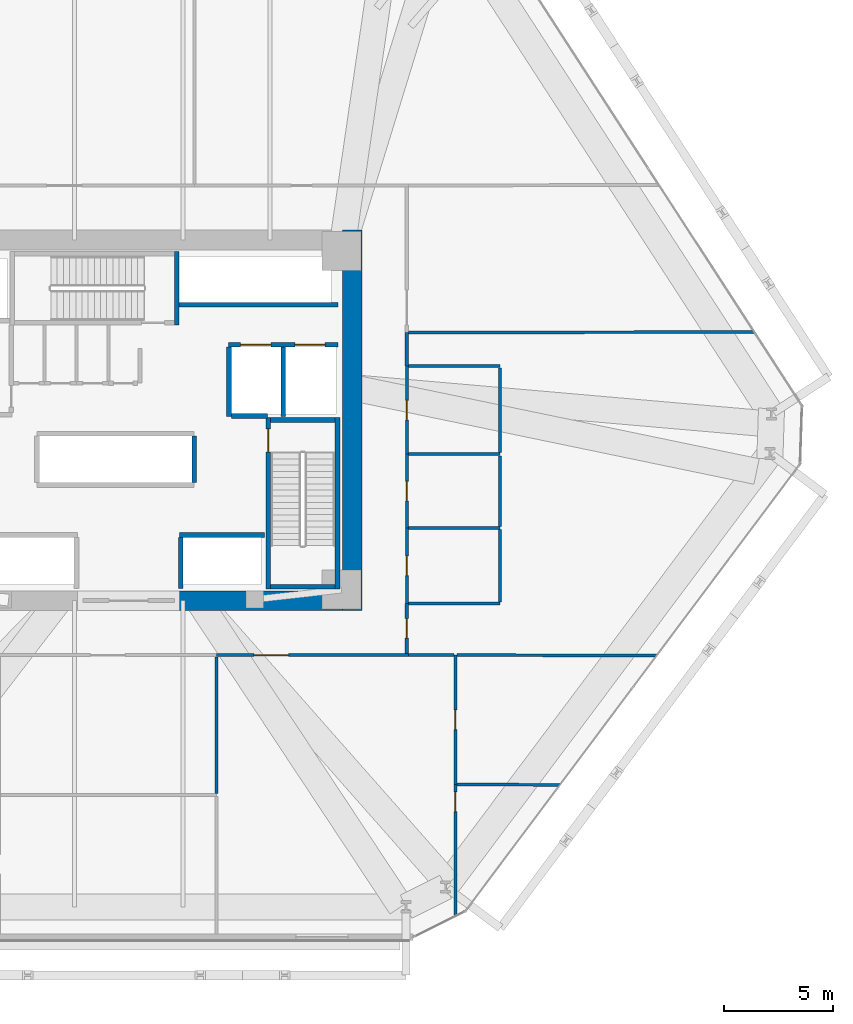
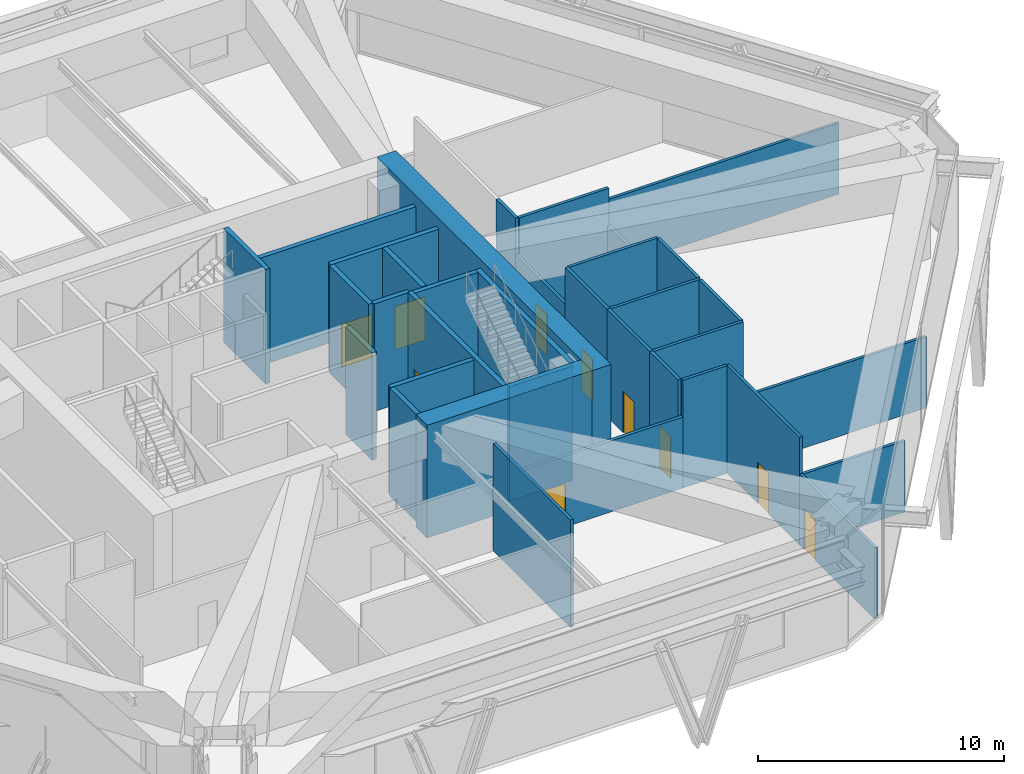
# One storey, part 15 of 19: 35 walls, 10 doors, 10 openings.
"""IFC4 building model written with IfcOpenShell, lengths in metres."""

from ifc_helpers import new_model, si_unit, direction, frame, frame_2d, origin, place, context, subcontext, project, spatial, rectangle, extrude, source, transform, mapped, material, layer, layer_set, type_object, type_shapes, element, fill, save


model = new_model("IFC4")

# Units and contexts
model_context = context("Model", 3, precision=1e-05, world=origin(), true_north=direction((0.0, 1.0)))
body_context = subcontext(model_context, "Body", "Model", "MODEL_VIEW")
ifc_project = project(units=[si_unit("LENGTHUNIT", "METRE"), si_unit("AREAUNIT", "SQUARE_METRE"), si_unit("VOLUMEUNIT", "CUBIC_METRE"), si_unit("PLANEANGLEUNIT", "RADIAN"), si_unit("MASSUNIT", "GRAM", prefix="KILO")], contexts=[model_context])

# Site, building, storey
site_placement = place(None, origin())
site = spatial("IfcSite", under=ifc_project, at=site_placement, CompositionType="ELEMENT")
building_placement = place(site_placement, origin())
building = spatial("IfcBuilding", under=site, at=building_placement, Name="Durnholm Broadcast Tower", CompositionType="ELEMENT")
storey_placement = place(building_placement, frame((0.0, 0.0, 26.800048828125)))
storey = spatial("IfcBuildingStorey", under=building, at=storey_placement, Name="L05", CompositionType="ELEMENT", Elevation=26.800048828125)

# Walls
ifc_material_1 = material(Name="Concrete C70/85", Category="concrete")
ifc_layer_1 = layer(ifc_material_1, 0.89990234375)
ifc_layer_set_1 = layer_set([ifc_layer_1], Name="Concrete C70/85")
wall_type_1 = type_object("IfcWallType", Name="WALL-CW-900", PredefinedType="SHEAR", material=ifc_layer_set_1)
wall_1_placement = place(storey_placement, frame((10.300048828125, -8.75, 0.0), z_axis=(0.0, 0.0, 1.0), x_axis=(0.0, 1.0, 0.0)))
element("IfcWall", 1, at=wall_1_placement, inside=storey, type_object=wall_type_1, Name="L05 central core shear wall CW-EAST", PredefinedType="SHEAR", context=body_context, shape_type="SweptSolid", body=[
    extrude(rectangle(XDim=17.5, YDim=0.89990234375, at=frame_2d((8.75, 0.0))), origin(), (0.0, 0.0, 1.0), 5.599853515625),
])
wall_2_placement = place(storey_placement, frame((2.10009765625, -8.300048828125, 0.0), z_axis=(0.0, 0.0, 1.0), x_axis=(1.0, 0.0, 0.0)))
element("IfcWall", 2, at=wall_2_placement, inside=storey, type_object=wall_type_1, Name="L05 central core shear wall CW-S2", PredefinedType="SHEAR", context=body_context, shape_type="SweptSolid", body=[
    extrude(rectangle(XDim=7.75, YDim=0.89990234375, at=frame_2d((3.875, 0.0))), origin(), (0.0, 0.0, 1.0), 5.599853515625),
])
ifc_material_2 = material(Name="Gypsum Metal Stud Partition", Category="concrete")
ifc_layer_2 = layer(ifc_material_2, 0.135009765625)
ifc_layer_set_2 = layer_set([ifc_layer_2], Name="Gypsum Metal Stud Partition")
wall_type_2 = type_object("IfcWallType", Name="WALL-PART-135", PredefinedType="PARTITIONING", material=ifc_layer_set_2)
wall_3_placement = place(storey_placement, frame((4.0400390625, -10.888916015625, 0.0), z_axis=(0.0, 0.0, 1.0), x_axis=(0.0, -1.0, 0.0)))
element("IfcWall", 3, at=wall_3_placement, inside=storey, type_object=wall_type_2, Name="L05 room dividing partition 15.16", PredefinedType="PARTITIONING", context=body_context, shape_type="SweptSolid", body=[
    extrude(rectangle(XDim=6.28466796875, YDim=0.135009765625, at=frame_2d((3.142333984375, 0.0))), origin(), (0.0, 0.0, 1.0), 5.344970703125),
])

# Wall, opening, door
wall_4_placement = place(storey_placement, frame((15.0400390625, -16.764892578125, 0.0), z_axis=(0.0, 0.0, 1.0), x_axis=(0.00294270504, -0.999995670234, 0.0)))
wall_4 = element("IfcWall", 4, at=wall_4_placement, inside=storey, type_object=wall_type_2, Name="L05 room dividing partition 16.17", PredefinedType="PARTITIONING", context=body_context, shape_type="SweptSolid", body=[
    extrude(rectangle(XDim=6.056396484375, YDim=0.135009765625, at=frame_2d((3.0283203125, 0.0))), origin(), (0.0, 0.0, 1.0), 3.530029296875),
])
opening_1_placement = place(wall_4_placement, frame((0.35009765625, 0.0, 0.0)))
opening_1 = element("IfcOpeningElement", 5, at=opening_1_placement, cuts=wall_4, Name="Opening DW-90L", PredefinedType="OPENING", context=body_context, shape_type="SweptSolid", body=[
    extrude(rectangle(XDim=0.89990234375, YDim=2.050048828125, at=frame_2d((0.449951171875, 1.02490234375))), frame((0.0, 0.07763671875, 0.0), z_axis=(0.0, -1.0, 0.0), x_axis=(1.0, 0.0, 0.0)), (0.0, 0.0, 1.0), 0.155029296875),
])
ifc_material_3 = material(Name="Laminate Restroom Door", Category="steel")
ifc_layer_3 = layer(ifc_material_3, 0.050048828125)
ifc_layer_set_3 = layer_set([ifc_layer_3], Name="Laminate Restroom Door")
door_type_1 = type_object("IfcDoorType", Name="DOOR-WC-900L", OperationType="NOTDEFINED", PredefinedType="DOOR", material=ifc_layer_set_3)
shared_shape_1 = source(origin(), body_context, "Body", "SweptSolid", [
    extrude(rectangle(XDim=0.89990234375, YDim=2.050048828125, at=frame_2d((0.449951171875, 1.02490234375))), frame((0.0, 0.02490234375, 0.0), z_axis=(0.0, -1.0, 0.0), x_axis=(1.0, 0.0, 0.0)), (0.0, 0.0, 1.0), 0.050048828125),
])
type_shapes(door_type_1, [shared_shape_1])
door_1_placement = place(opening_1_placement, origin())
door_1 = element("IfcDoor", 6, at=door_1_placement, inside=storey, type_object=door_type_1, Name="L05 Foley Recording Office connecting door", OperationType="SINGLE_SWING_LEFT", OverallHeight=2.050048828125, OverallWidth=0.89990234375, PredefinedType="DOOR", context=body_context, shape_type="MappedRepresentation", body=[
    mapped(shared_shape_1, transform((0.0, 0.0, 0.0), x_axis=(1.0, 0.0, 0.0), y_axis=(0.0, 1.0, 0.0), z_axis=(0.0, 0.0, 1.0), scale=1.0)),
])
fill(opening_1, door_1)

wall_5_placement = place(storey_placement, frame((15.0400390625, -10.81005859375, 0.0), z_axis=(0.0, 0.0, 1.0), x_axis=(0.0, -1.0, 0.0)))
wall_5 = element("IfcWall", 7, at=wall_5_placement, inside=storey, type_object=wall_type_2, Name="L05 room dividing partition 16.18", PredefinedType="PARTITIONING", context=body_context, shape_type="SweptSolid", body=[
    extrude(rectangle(XDim=5.954833984375, YDim=0.135009765625, at=frame_2d((2.9775390625, 0.0))), origin(), (0.0, 0.0, 1.0), 5.344970703125),
])
opening_2_placement = place(wall_5_placement, frame((2.527587890625, 0.0, 0.0)))
opening_2 = element("IfcOpeningElement", 8, at=opening_2_placement, cuts=wall_5, Name="Opening DW-90L", PredefinedType="OPENING", context=body_context, shape_type="SweptSolid", body=[
    extrude(rectangle(XDim=0.89990234375, YDim=2.050048828125, at=frame_2d((0.449951171875, 1.02490234375))), frame((0.0, 0.07763671875, 0.0), z_axis=(0.0, -1.0, 0.0), x_axis=(1.0, 0.0, 0.0)), (0.0, 0.0, 1.0), 0.155029296875),
])
door_2_placement = place(opening_2_placement, origin())
door_2 = element("IfcDoor", 9, at=door_2_placement, inside=storey, type_object=door_type_1, Name="L05 Hospitality Dining Room connecting door", OperationType="SINGLE_SWING_LEFT", OverallHeight=2.050048828125, OverallWidth=0.89990234375, PredefinedType="DOOR", context=body_context, shape_type="MappedRepresentation", body=[
    mapped(shared_shape_1, transform((0.0, 0.0, 0.0), x_axis=(1.0, 0.0, 0.0), y_axis=(0.0, 1.0, 0.0), z_axis=(0.0, 0.0, 1.0), scale=1.0)),
])
fill(opening_2, door_2)

# Walls
wall_6_placement = place(storey_placement, frame((12.889892578125, -10.81005859375, 0.0), z_axis=(0.0, 0.0, 1.0), x_axis=(1.0, 0.0, 0.0)))
element("IfcWall", 10, at=wall_6_placement, inside=storey, type_object=wall_type_2, Name="L05 room dividing partition 16.21", PredefinedType="PARTITIONING", context=body_context, shape_type="SweptSolid", body=[
    extrude(rectangle(XDim=2.07861328125, YDim=0.135009765625, at=frame_2d((1.039306640625, 0.0))), origin(), (0.0, 0.0, 1.0), 5.344970703125),
])
wall_7_placement = place(storey_placement, frame((15.111572265625, -16.765625, 0.0), z_axis=(0.0, 0.0, 1.0), x_axis=(0.999987815736, -0.004936433913, 0.0)))
element("IfcWall", 11, at=wall_7_placement, inside=storey, type_object=wall_type_2, Name="L05 room dividing partition 17.18", PredefinedType="PARTITIONING", context=body_context, shape_type="SweptSolid", body=[
    extrude(rectangle(XDim=4.747802734375, YDim=0.135009765625, at=frame_2d((2.3740234375, 0.0))), origin(), (0.0, 0.0, 1.0), 3.530029296875),
])
wall_8_placement = place(storey_placement, frame((15.111572265625, -10.810302734375, 0.0), z_axis=(0.0, 0.0, 1.0), x_axis=(0.999996689995, -0.002572935781, 0.0)))
element("IfcWall", 12, at=wall_8_placement, inside=storey, type_object=wall_type_2, Name="L05 room dividing partition 18.21", PredefinedType="PARTITIONING", context=body_context, shape_type="SweptSolid", body=[
    extrude(rectangle(XDim=9.2041015625, YDim=0.135009765625, at=frame_2d((4.60205078125, 0.0))), origin(), (0.0, 0.0, 1.0), 3.530029296875),
])
wall_9_placement = place(storey_placement, frame((12.888916015625, 4.0400390625, 0.0), z_axis=(0.0, 0.0, 1.0), x_axis=(0.999999068975, 0.001364568967, 0.0)))
element("IfcWall", 13, at=wall_9_placement, inside=storey, type_object=wall_type_2, Name="L05 room dividing partition 21.22", PredefinedType="PARTITIONING", context=body_context, shape_type="SweptSolid", body=[
    extrude(rectangle(XDim=15.92333984375, YDim=0.135009765625, at=frame_2d((7.961669921875, 0.0))), origin(), (0.0, 0.0, 1.0), 3.530029296875),
])

# Wall, opening, door
ifc_material_4 = material(Name="Acoustic Gypsum Stud Partition", Category="concrete")
ifc_layer_4 = layer(ifc_material_4, 0.14990234375)
ifc_layer_set_4 = layer_set([ifc_layer_4], Name="Acoustic Gypsum Stud Partition")
wall_type_3 = type_object("IfcWallType", Name="WALL-PART-150", PredefinedType="PARTITIONING", material=ifc_layer_set_4)
wall_10_placement = place(storey_placement, frame((4.0400390625, -10.81005859375, 0.0), z_axis=(0.0, 0.0, 1.0), x_axis=(1.0, 0.0, 0.0)))
wall_10 = element("IfcWall", 14, at=wall_10_placement, inside=storey, type_object=wall_type_3, Name="L05 Orchestra Recording Hall 5A corridor partition", PredefinedType="PARTITIONING", context=body_context, shape_type="SweptSolid", body=[
    extrude(rectangle(XDim=8.849853515625, YDim=0.14990234375, at=frame_2d((4.4248046875, 0.0))), origin(), (0.0, 0.0, 1.0), 3.530029296875),
])
opening_3_placement = place(wall_10_placement, frame((1.72998046875, 0.0, 0.0)))
opening_3 = element("IfcOpeningElement", 15, at=opening_3_placement, cuts=wall_10, Name="Opening DST-160", PredefinedType="OPENING", context=body_context, shape_type="SweptSolid", body=[
    extrude(rectangle(XDim=1.60009765625, YDim=2.14990234375, at=frame_2d((0.800048828125, 1.074951171875))), frame((0.0, 0.0849609375, 0.0), z_axis=(0.0, -1.0, 0.0), x_axis=(1.0, 0.0, 0.0)), (0.0, 0.0, 1.0), 0.169921875),
])
ifc_material_5 = material(Name="Acoustic Broadcast Studio Sound-Lock Door", Category="steel")
ifc_layer_5 = layer(ifc_material_5, 0.050048828125)
ifc_layer_set_5 = layer_set([ifc_layer_5], Name="Acoustic Broadcast Studio Sound-Lock Door")
door_type_2 = type_object("IfcDoorType", Name="DOOR-STU-1600", OperationType="DOUBLE_DOOR_SINGLE_SWING", PredefinedType="DOOR", material=ifc_layer_set_5)
shared_shape_2 = source(origin(), body_context, "Body", "SweptSolid", [
    extrude(rectangle(XDim=1.60009765625, YDim=2.14990234375, at=frame_2d((0.800048828125, 1.074951171875))), frame((0.0, 0.02490234375, 0.0), z_axis=(0.0, -1.0, 0.0), x_axis=(1.0, 0.0, 0.0)), (0.0, 0.0, 1.0), 0.050048828125),
])
type_shapes(door_type_2, [shared_shape_2])
door_3_placement = place(opening_3_placement, origin())
door_3 = element("IfcDoor", 16, at=door_3_placement, inside=storey, type_object=door_type_2, Name="L05 Orchestra Recording Hall 5A entrance door", OperationType="DOUBLE_DOOR_SINGLE_SWING", OverallHeight=2.14990234375, OverallWidth=1.60009765625, PredefinedType="DOOR", context=body_context, shape_type="MappedRepresentation", body=[
    mapped(shared_shape_2, transform((0.0, 0.0, 0.0), x_axis=(1.0, 0.0, 0.0), y_axis=(0.0, 1.0, 0.0), z_axis=(0.0, 0.0, 1.0), scale=1.0)),
])
fill(opening_3, door_3)

wall_11_placement = place(storey_placement, frame((12.81005859375, -10.73095703125, 0.0), z_axis=(0.0, 0.0, 1.0), x_axis=(0.0, 1.0, 0.0)))
wall_11 = element("IfcWall", 17, at=wall_11_placement, inside=storey, type_object=wall_type_3, Name="L05 Acoustic Archive Store corridor partition", PredefinedType="PARTITIONING", context=body_context, shape_type="SweptSolid", body=[
    extrude(rectangle(XDim=2.291015625, YDim=0.14990234375, at=frame_2d((1.1455078125, 0.0))), origin(), (0.0, 0.0, 1.0), 5.344970703125),
])
opening_4_placement = place(wall_11_placement, frame((0.695556640625, 0.0, 0.0)))
opening_4 = element("IfcOpeningElement", 18, at=opening_4_placement, cuts=wall_11, Name="Opening DC-60R", PredefinedType="OPENING", context=body_context, shape_type="SweptSolid", body=[
    extrude(rectangle(XDim=0.89990234375, YDim=2.050048828125, at=frame_2d((0.449951171875, 1.02490234375))), frame((0.0, 0.0849609375, 0.0), z_axis=(0.0, -1.0, 0.0), x_axis=(1.0, 0.0, 0.0)), (0.0, 0.0, 1.0), 0.169921875),
])
ifc_material_6 = material(Name="Fire-Rated Core Service Door", Category="steel")
ifc_layer_6 = layer(ifc_material_6, 0.050048828125)
ifc_layer_set_6 = layer_set([ifc_layer_6], Name="Fire-Rated Core Service Door")
door_type_3 = type_object("IfcDoorType", Name="DOOR-CORE-FD60-R", OperationType="NOTDEFINED", PredefinedType="DOOR", material=ifc_layer_set_6)
shared_shape_3 = source(origin(), body_context, "Body", "SweptSolid", [
    extrude(rectangle(XDim=0.89990234375, YDim=2.050048828125, at=frame_2d((0.449951171875, 1.02490234375))), frame((0.0, 0.02490234375, 0.0), z_axis=(0.0, -1.0, 0.0), x_axis=(1.0, 0.0, 0.0)), (0.0, 0.0, 1.0), 0.050048828125),
])
type_shapes(door_type_3, [shared_shape_3])
door_4_placement = place(opening_4_placement, origin())
door_4 = element("IfcDoor", 19, at=door_4_placement, inside=storey, type_object=door_type_3, Name="L05 Acoustic Archive Store entrance door", OperationType="SINGLE_SWING_RIGHT", OverallHeight=2.050048828125, OverallWidth=0.89990234375, PredefinedType="DOOR", context=body_context, shape_type="MappedRepresentation", body=[
    mapped(shared_shape_3, transform((0.0, 0.0, 0.0), x_axis=(1.0, 0.0, 0.0), y_axis=(0.0, 1.0, 0.0), z_axis=(0.0, 0.0, 1.0), scale=1.0)),
])
fill(opening_4, door_4)

# Wall
wall_12_placement = place(storey_placement, frame((12.81005859375, 2.489990234375, 0.0), z_axis=(0.0, 0.0, 1.0), x_axis=(0.0, 1.0, 0.0)))
element("IfcWall", 20, at=wall_12_placement, inside=storey, type_object=wall_type_3, Name="L05 Acoustic Archive Store corridor partition", PredefinedType="PARTITIONING", context=body_context, shape_type="SweptSolid", body=[
    extrude(rectangle(XDim=1.550048828125, YDim=0.14990234375, at=frame_2d((0.77490234375, 0.0))), origin(), (0.0, 0.0, 1.0), 5.344970703125),
])

# Wall, openings, doors
ifc_material_7 = material(Name="Concrete Blockwork C30/37", Category="masonry")
ifc_layer_7 = layer(ifc_material_7, 0.219970703125)
ifc_layer_set_7 = layer_set([ifc_layer_7], Name="Concrete Blockwork C30/37")
wall_type_4 = type_object("IfcWallType", Name="WALL-SHAFT-220", PredefinedType="SOLIDWALL", material=ifc_layer_set_7)
wall_13_placement = place(storey_placement, frame((4.60009765625, 3.47998046875, 0.0), z_axis=(0.0, 0.0, 1.0), x_axis=(1.0, 0.0, 0.0)))
wall_13 = element("IfcWall", 21, at=wall_13_placement, inside=storey, type_object=wall_type_4, Name="L05 freight service lifts north front wall", PredefinedType="SOLIDWALL", context=body_context, shape_type="SweptSolid", body=[
    extrude(rectangle(XDim=5.0498046875, YDim=0.219970703125, at=frame_2d((2.52490234375, 0.0))), origin(), (0.0, 0.0, 1.0), 5.344970703125),
])
opening_5_placement = place(wall_13_placement, frame((0.550048828125, 0.0, 0.0)))
opening_5 = element("IfcOpeningElement", 22, at=opening_5_placement, cuts=wall_13, Name="Opening LD-SVL-2", PredefinedType="OPENING", context=body_context, shape_type="SweptSolid", body=[
    extrude(rectangle(XDim=1.39990234375, YDim=2.14990234375, at=frame_2d((0.699951171875, 1.074951171875))), frame((0.0, 0.1201171875, 0.0), z_axis=(0.0, -1.0, 0.0), x_axis=(1.0, 0.0, 0.0)), (0.0, 0.0, 1.0), 0.239990234375),
])
opening_6_placement = place(wall_13_placement, frame((3.050048828125, 0.0, 0.0)))
opening_6 = element("IfcOpeningElement", 23, at=opening_6_placement, cuts=wall_13, Name="Opening LD-SVL-1", PredefinedType="OPENING", context=body_context, shape_type="SweptSolid", body=[
    extrude(rectangle(XDim=1.39990234375, YDim=2.14990234375, at=frame_2d((0.699951171875, 1.074951171875))), frame((0.0, 0.1201171875, 0.0), z_axis=(0.0, -1.0, 0.0), x_axis=(1.0, 0.0, 0.0)), (0.0, 0.0, 1.0), 0.239990234375),
])
ifc_material_8 = material(Name="Freight Elevator Bi-Parting Sliding Landing Door", Category="steel")
ifc_layer_8 = layer(ifc_material_8, 0.050048828125)
ifc_layer_set_8 = layer_set([ifc_layer_8], Name="Freight Elevator Bi-Parting Sliding Landing Door")
door_type_4 = type_object("IfcDoorType", Name="DOOR-LIFT-SVL", OperationType="DOUBLE_DOOR_SLIDING", PredefinedType="DOOR", material=ifc_layer_set_8)
shared_shape_4 = source(origin(), body_context, "Body", "SweptSolid", [
    extrude(rectangle(XDim=1.39990234375, YDim=2.14990234375, at=frame_2d((0.699951171875, 1.074951171875))), frame((0.0, 0.02490234375, 0.0), z_axis=(0.0, -1.0, 0.0), x_axis=(1.0, 0.0, 0.0)), (0.0, 0.0, 1.0), 0.050048828125),
])
type_shapes(door_type_4, [shared_shape_4])
door_5_placement = place(opening_5_placement, origin())
door_5 = element("IfcDoor", 24, at=door_5_placement, inside=storey, type_object=door_type_4, Name="L05 freight service elevator SVL-2 sliding landing door", OperationType="DOUBLE_DOOR_SLIDING", OverallHeight=2.14990234375, OverallWidth=1.39990234375, PredefinedType="DOOR", context=body_context, shape_type="MappedRepresentation", body=[
    mapped(shared_shape_4, transform((0.0, 0.0, 0.0), x_axis=(1.0, 0.0, 0.0), y_axis=(0.0, 1.0, 0.0), z_axis=(0.0, 0.0, 1.0), scale=1.0)),
])
fill(opening_5, door_5)
door_6_placement = place(opening_6_placement, origin())
door_6 = element("IfcDoor", 25, at=door_6_placement, inside=storey, type_object=door_type_4, Name="L05 freight service elevator SVL-1 sliding landing door", OperationType="DOUBLE_DOOR_SLIDING", OverallHeight=2.14990234375, OverallWidth=1.39990234375, PredefinedType="DOOR", context=body_context, shape_type="MappedRepresentation", body=[
    mapped(shared_shape_4, transform((0.0, 0.0, 0.0), x_axis=(1.0, 0.0, 0.0), y_axis=(0.0, 1.0, 0.0), z_axis=(0.0, 0.0, 1.0), scale=1.0)),
])
fill(opening_6, door_6)

# Walls
for number, where, z_axis, x_axis, name in (
    (26, (4.6201171875, 0.179931640625, 0.0), (0.0, 0.0, 1.0), (0.0, 1.0, 0.0), "L05 freight service lift SVL-2 west wall"),
    (27, (7.1201171875, 0.179931640625, 0.0), (0.0, 0.0, 1.0), (0.0, 1.0, 0.0), "L05 freight service lifts divider wall"),
):
    element("IfcWall", number, at=place(storey_placement, frame(where, z_axis=z_axis, x_axis=x_axis)), inside=storey, type_object=wall_type_4, Name=name, PredefinedType="SOLIDWALL", context=body_context, shape_type="SweptSolid", body=[
        extrude(rectangle(XDim=3.18603515625, YDim=0.219970703125, at=frame_2d((1.593017578125, 0.0))), origin(), (0.0, 0.0, 1.0), 5.344970703125),
    ])
wall_14_placement = place(storey_placement, frame((4.73388671875, 0.199951171875, 0.0), z_axis=(0.0, 0.0, 1.0), x_axis=(1.0, 0.0, 0.0)))
element("IfcWall", 28, at=wall_14_placement, inside=storey, type_object=wall_type_4, Name="L05 freight service lift SVL-2 south wall", PredefinedType="SOLIDWALL", context=body_context, shape_type="SweptSolid", body=[
    extrude(rectangle(XDim=1.666015625, YDim=0.219970703125, at=frame_2d((0.8330078125, 0.0))), origin(), (0.0, 0.0, 1.0), 5.344970703125),
])
wall_15_placement = place(storey_placement, frame((2.35009765625, -5.280029296875, 0.0), z_axis=(0.0, 0.0, 1.0), x_axis=(1.0, 0.0, 0.0)))
element("IfcWall", 29, at=wall_15_placement, inside=storey, type_object=wall_type_4, Name="L05 low-rise bank P1 east front wall", PredefinedType="SOLIDWALL", context=body_context, shape_type="SweptSolid", body=[
    extrude(rectangle(XDim=3.89990234375, YDim=0.219970703125, at=frame_2d((1.949951171875, 0.0))), origin(), (0.0, 0.0, 1.0), 5.344970703125),
])
wall_16_placement = place(storey_placement, frame((2.39990234375, -7.75, 0.0), z_axis=(0.0, 0.0, 1.0), x_axis=(0.0, 1.0, 0.0)))
element("IfcWall", 30, at=wall_16_placement, inside=storey, type_object=wall_type_4, Name="L05 low-rise bank P1 east mouth wall", PredefinedType="SOLIDWALL", context=body_context, shape_type="SweptSolid", body=[
    extrude(rectangle(XDim=2.35595703125, YDim=0.219970703125, at=frame_2d((1.177978515625, 0.0))), origin(), (0.0, 0.0, 1.0), 5.344970703125),
])
wall_17_placement = place(storey_placement, frame((3.02001953125, -2.865966796875, 0.0), z_axis=(0.0, 0.0, 1.0), x_axis=(0.0, 1.0, 0.0)))
element("IfcWall", 31, at=wall_17_placement, inside=storey, type_object=wall_type_4, Name="L05 mid-rise bank P2 east shaft wall", PredefinedType="SOLIDWALL", context=body_context, shape_type="SweptSolid", body=[
    extrude(rectangle(XDim=2.132080078125, YDim=0.219970703125, at=frame_2d((1.06591796875, 0.0))), origin(), (0.0, 0.0, 1.0), 5.344970703125),
])
wall_18_placement = place(storey_placement, frame((2.324951171875, 5.320068359375, 0.0), z_axis=(0.0, 0.0, 1.0), x_axis=(1.0, 0.0, 0.0)))
element("IfcWall", 32, at=wall_18_placement, inside=storey, type_object=wall_type_4, Name="L05 high-rise bank P3 south front wall", PredefinedType="SOLIDWALL", context=body_context, shape_type="SweptSolid", body=[
    extrude(rectangle(XDim=7.324951171875, YDim=0.219970703125, at=frame_2d((3.66259765625, 0.0))), origin(), (0.0, 0.0, 1.0), 5.344970703125),
])
ifc_material_9 = material(Name="Concrete C50/60", Category="concrete")
ifc_layer_9 = layer(ifc_material_9, 0.219970703125)
ifc_layer_set_9 = layer_set([ifc_layer_9], Name="Concrete C50/60")
wall_type_5 = type_object("IfcWallType", Name="WALL-SW-220", PredefinedType="SHEAR", material=ifc_layer_set_9)
wall_19_placement = place(storey_placement, frame((9.610107421875, -7.77001953125, -0.320068359375), z_axis=(0.0, 0.0, 1.0), x_axis=(0.0, 1.0, 0.0)))
element("IfcWall", 33, at=wall_19_placement, inside=storey, type_object=wall_type_5, Name="L05 stair ST-2 structural shaft wall E", PredefinedType="SHEAR", context=body_context, shape_type="SweptSolid", body=[
    extrude(rectangle(XDim=7.89013671875, YDim=0.219970703125, at=frame_2d((3.945068359375, 0.0))), origin(), (0.0, 0.0, 1.0), 5.679931640625),
])

# Wall, opening, door
wall_20_placement = place(storey_placement, frame((6.429931640625, 0.1201171875, -0.320068359375), z_axis=(0.0, 0.0, 1.0), x_axis=(0.0, -1.0, 0.0)))
wall_20 = element("IfcWall", 34, at=wall_20_placement, inside=storey, type_object=wall_type_5, Name="L05 stair ST-2 structural shaft wall W", PredefinedType="SHEAR", context=body_context, shape_type="SweptSolid", body=[
    extrude(rectangle(XDim=7.89013671875, YDim=0.219970703125, at=frame_2d((3.945068359375, 0.0))), origin(), (0.0, 0.0, 1.0), 5.679931640625),
])
opening_7_placement = place(wall_20_placement, frame((0.52001953125, 0.0, 0.0)))
opening_7 = element("IfcOpeningElement", 35, at=opening_7_placement, cuts=wall_20, Name="Opening DS-90R", PredefinedType="OPENING", context=body_context, shape_type="SweptSolid", body=[
    extrude(rectangle(XDim=1.050048828125, YDim=2.14990234375, at=frame_2d((0.52490234375, 1.074951171875))), frame((0.0, 0.1201171875, 0.0), z_axis=(0.0, -1.0, 0.0), x_axis=(1.0, 0.0, 0.0)), (0.0, 0.0, 1.0), 0.239990234375),
])
ifc_material_10 = material(Name="Fire-Rated Steel Door", Category="steel")
ifc_layer_10 = layer(ifc_material_10, 0.050048828125)
ifc_layer_set_10 = layer_set([ifc_layer_10], Name="Fire-Rated Steel Door")
door_type_5 = type_object("IfcDoorType", Name="DOOR-ST-FD90-R", OperationType="NOTDEFINED", PredefinedType="DOOR", material=ifc_layer_set_10)
shared_shape_5 = source(origin(), body_context, "Body", "SweptSolid", [
    extrude(rectangle(XDim=1.050048828125, YDim=2.14990234375, at=frame_2d((0.52490234375, 1.074951171875))), frame((0.0, 0.02490234375, 0.0), z_axis=(0.0, -1.0, 0.0), x_axis=(1.0, 0.0, 0.0)), (0.0, 0.0, 1.0), 0.050048828125),
])
type_shapes(door_type_5, [shared_shape_5])
door_7_placement = place(opening_7_placement, origin())
door_7 = element("IfcDoor", 36, at=door_7_placement, inside=storey, type_object=door_type_5, Name="L05 exit stair ST-2 fire door", OperationType="SINGLE_SWING_RIGHT", OverallHeight=2.14990234375, OverallWidth=1.050048828125, PredefinedType="DOOR", context=body_context, shape_type="MappedRepresentation", body=[
    mapped(shared_shape_5, transform((0.0, 0.0, 0.0), x_axis=(1.0, 0.0, 0.0), y_axis=(0.0, 1.0, 0.0), z_axis=(0.0, 0.0, 1.0), scale=1.0)),
])
fill(opening_7, door_7)

# Walls
for number, where, z_axis, x_axis, name in (
    (37, (6.5400390625, -7.659912109375, -0.320068359375), (0.0, 0.0, 1.0), (1.0, 0.0, 0.0), "L05 stair ST-2 structural shaft wall S"),
    (38, (9.5, 0.010009765625, -0.320068359375), (0.0, 0.0, 1.0), (-1.0, 0.0, 0.0), "L05 stair ST-2 structural shaft wall N"),
):
    element("IfcWall", number, at=place(storey_placement, frame(where, z_axis=z_axis, x_axis=x_axis)), inside=storey, type_object=wall_type_5, Name=name, PredefinedType="SHEAR", context=body_context, shape_type="SweptSolid", body=[
        extrude(rectangle(XDim=2.9599609375, YDim=0.219970703125, at=frame_2d((1.47998046875, 0.0))), origin(), (0.0, 0.0, 1.0), 5.679931640625),
    ])
wall_21_placement = place(storey_placement, frame((2.2099609375, 4.3798828125, -0.320068359375), z_axis=(0.0, 0.0, 1.0), x_axis=(0.0, 1.0, 0.0)))
element("IfcWall", 39, at=wall_21_placement, inside=storey, type_object=wall_type_5, Name="L05 stair ST-3 structural shaft wall E", PredefinedType="SHEAR", context=body_context, shape_type="SweptSolid", body=[
    extrude(rectangle(XDim=3.400146484375, YDim=0.219970703125, at=frame_2d((1.7001953125, 0.0))), origin(), (0.0, 0.0, 1.0), 5.679931640625),
])

# Wall, opening, door
ifc_material_11 = material(Name="Moisture-Resistant Tile Partition", Category="concrete")
ifc_layer_11 = layer(ifc_material_11, 0.139892578125)
ifc_layer_set_11 = layer_set([ifc_layer_11], Name="Moisture-Resistant Tile Partition")
wall_type_6 = type_object("IfcWallType", Name="WALL-WC-140", PredefinedType="PARTITIONING", material=ifc_layer_set_11)
wall_22_placement = place(storey_placement, frame((12.81005859375, -8.43994140625, 0.0), z_axis=(0.0, 0.0, 1.0), x_axis=(0.0, 1.0, 0.0)))
wall_22 = element("IfcWall", 40, at=wall_22_placement, inside=storey, type_object=wall_type_6, Name="L05 Men's Restroom corridor partition", PredefinedType="PARTITIONING", context=body_context, shape_type="SweptSolid", body=[
    extrude(rectangle(XDim=3.47998046875, YDim=0.139892578125, at=frame_2d((1.739990234375, 0.0))), origin(), (0.0, 0.0, 1.0), 5.344970703125),
])
opening_8_placement = place(wall_22_placement, frame((1.2900390625, 0.0, 0.0)))
opening_8 = element("IfcOpeningElement", 41, at=opening_8_placement, cuts=wall_22, Name="Opening DW-90L", PredefinedType="OPENING", context=body_context, shape_type="SweptSolid", body=[
    extrude(rectangle(XDim=0.89990234375, YDim=2.050048828125, at=frame_2d((0.449951171875, 1.02490234375))), frame((0.0, 0.080078125, 0.0), z_axis=(0.0, -1.0, 0.0), x_axis=(1.0, 0.0, 0.0)), (0.0, 0.0, 1.0), 0.159912109375),
])
door_8_placement = place(opening_8_placement, origin())
door_8 = element("IfcDoor", 42, at=door_8_placement, inside=storey, type_object=door_type_1, Name="L05 Men's Restroom entrance door", OperationType="SINGLE_SWING_LEFT", OverallHeight=2.050048828125, OverallWidth=0.89990234375, PredefinedType="DOOR", context=body_context, shape_type="MappedRepresentation", body=[
    mapped(shared_shape_1, transform((0.0, 0.0, 0.0), x_axis=(1.0, 0.0, 0.0), y_axis=(0.0, 1.0, 0.0), z_axis=(0.0, 0.0, 1.0), scale=1.0)),
])
fill(opening_8, door_8)

wall_23_placement = place(storey_placement, frame((12.81005859375, -4.9599609375, 0.0), z_axis=(0.0, 0.0, 1.0), x_axis=(0.0, 1.0, 0.0)))
wall_23 = element("IfcWall", 43, at=wall_23_placement, inside=storey, type_object=wall_type_6, Name="L05 Women's Restroom corridor partition", PredefinedType="PARTITIONING", context=body_context, shape_type="SweptSolid", body=[
    extrude(rectangle(XDim=3.39990234375, YDim=0.139892578125, at=frame_2d((1.699951171875, 0.0))), origin(), (0.0, 0.0, 1.0), 5.344970703125),
])
opening_9_placement = place(wall_23_placement, frame((1.25, 0.0, 0.0)))
opening_9 = element("IfcOpeningElement", 44, at=opening_9_placement, cuts=wall_23, Name="Opening DW-90R", PredefinedType="OPENING", context=body_context, shape_type="SweptSolid", body=[
    extrude(rectangle(XDim=0.89990234375, YDim=2.050048828125, at=frame_2d((0.449951171875, 1.02490234375))), frame((0.0, 0.080078125, 0.0), z_axis=(0.0, -1.0, 0.0), x_axis=(1.0, 0.0, 0.0)), (0.0, 0.0, 1.0), 0.159912109375),
])
ifc_layer_12 = layer(ifc_material_3, 0.050048828125)
ifc_layer_set_12 = layer_set([ifc_layer_12], Name="Laminate Restroom Door")
door_type_6 = type_object("IfcDoorType", Name="DOOR-WC-900R", OperationType="NOTDEFINED", PredefinedType="DOOR", material=ifc_layer_set_12)
shared_shape_6 = source(origin(), body_context, "Body", "SweptSolid", [
    extrude(rectangle(XDim=0.89990234375, YDim=2.050048828125, at=frame_2d((0.449951171875, 1.02490234375))), frame((0.0, 0.02490234375, 0.0), z_axis=(0.0, -1.0, 0.0), x_axis=(1.0, 0.0, 0.0)), (0.0, 0.0, 1.0), 0.050048828125),
])
type_shapes(door_type_6, [shared_shape_6])
door_9_placement = place(opening_9_placement, origin())
door_9 = element("IfcDoor", 45, at=door_9_placement, inside=storey, type_object=door_type_6, Name="L05 Women's Restroom entrance door", OperationType="SINGLE_SWING_RIGHT", OverallHeight=2.050048828125, OverallWidth=0.89990234375, PredefinedType="DOOR", context=body_context, shape_type="MappedRepresentation", body=[
    mapped(shared_shape_6, transform((0.0, 0.0, 0.0), x_axis=(1.0, 0.0, 0.0), y_axis=(0.0, 1.0, 0.0), z_axis=(0.0, 0.0, 1.0), scale=1.0)),
])
fill(opening_9, door_9)

wall_24_placement = place(storey_placement, frame((12.81005859375, -1.56005859375, 0.0), z_axis=(0.0, 0.0, 1.0), x_axis=(0.0, 1.0, 0.0)))
wall_24 = element("IfcWall", 46, at=wall_24_placement, inside=storey, type_object=wall_type_6, Name="L05 Accessible Restroom corridor partition", PredefinedType="PARTITIONING", context=body_context, shape_type="SweptSolid", body=[
    extrude(rectangle(XDim=4.050048828125, YDim=0.139892578125, at=frame_2d((2.02490234375, 0.0))), origin(), (0.0, 0.0, 1.0), 3.530029296875),
])
opening_10_placement = place(wall_24_placement, frame((1.574951171875, 0.0, 0.0)))
opening_10 = element("IfcOpeningElement", 47, at=opening_10_placement, cuts=wall_24, Name="Opening DW-90L", PredefinedType="OPENING", context=body_context, shape_type="SweptSolid", body=[
    extrude(rectangle(XDim=0.89990234375, YDim=2.050048828125, at=frame_2d((0.449951171875, 1.02490234375))), frame((0.0, 0.080078125, 0.0), z_axis=(0.0, -1.0, 0.0), x_axis=(1.0, 0.0, 0.0)), (0.0, 0.0, 1.0), 0.159912109375),
])
door_10_placement = place(opening_10_placement, origin())
door_10 = element("IfcDoor", 48, at=door_10_placement, inside=storey, type_object=door_type_1, Name="L05 Accessible Restroom entrance door", OperationType="SINGLE_SWING_LEFT", OverallHeight=2.050048828125, OverallWidth=0.89990234375, PredefinedType="DOOR", context=body_context, shape_type="MappedRepresentation", body=[
    mapped(shared_shape_1, transform((0.0, 0.0, 0.0), x_axis=(1.0, 0.0, 0.0), y_axis=(0.0, 1.0, 0.0), z_axis=(0.0, 0.0, 1.0), scale=1.0)),
])
fill(opening_10, door_10)

# Walls
wall_25_placement = place(storey_placement, frame((12.884033203125, -4.9599609375, 0.0), z_axis=(0.0, 0.0, 1.0), x_axis=(1.0, 0.0, 0.0)))
element("IfcWall", 49, at=wall_25_placement, inside=storey, type_object=wall_type_6, Name="L05 room dividing partition 5.6", PredefinedType="PARTITIONING", context=body_context, shape_type="SweptSolid", body=[
    extrude(rectangle(XDim=4.2060546875, YDim=0.139892578125, at=frame_2d((2.10302734375, 0.0))), origin(), (0.0, 0.0, 1.0), 5.344970703125),
])
wall_26_placement = place(storey_placement, frame((17.090087890625, -8.43994140625, 0.0), z_axis=(0.0, 0.0, 1.0), x_axis=(-1.0, 0.0, 0.0)))
element("IfcWall", 50, at=wall_26_placement, inside=storey, type_object=wall_type_6, Name="L05 room dividing partition 5.21", PredefinedType="PARTITIONING", context=body_context, shape_type="SweptSolid", body=[
    extrude(rectangle(XDim=4.201171875, YDim=0.139892578125, at=frame_2d((2.1005859375, 0.0))), origin(), (0.0, 0.0, 1.0), 5.344970703125),
])
wall_27_placement = place(storey_placement, frame((17.090087890625, -5.033935546875, 0.0), z_axis=(0.0, 0.0, 1.0), x_axis=(0.0, -1.0, 0.0)))
element("IfcWall", 51, at=wall_27_placement, inside=storey, type_object=wall_type_6, Name="L05 room dividing partition 5.21", PredefinedType="PARTITIONING", context=body_context, shape_type="SweptSolid", body=[
    extrude(rectangle(XDim=3.33203125, YDim=0.139892578125, at=frame_2d((1.666015625, 0.0))), origin(), (0.0, 0.0, 1.0), 5.344970703125),
])
wall_28_placement = place(storey_placement, frame((12.884033203125, -1.56005859375, 0.0), z_axis=(0.0, 0.0, 1.0), x_axis=(1.0, 0.0, 0.0)))
element("IfcWall", 52, at=wall_28_placement, inside=storey, type_object=wall_type_6, Name="L05 room dividing partition 6.7", PredefinedType="PARTITIONING", context=body_context, shape_type="SweptSolid", body=[
    extrude(rectangle(XDim=4.2060546875, YDim=0.139892578125, at=frame_2d((2.10302734375, 0.0))), origin(), (0.0, 0.0, 1.0), 5.344970703125),
])
wall_29_placement = place(storey_placement, frame((17.090087890625, -1.634033203125, 0.0), z_axis=(0.0, 0.0, 1.0), x_axis=(0.0, -1.0, 0.0)))
element("IfcWall", 53, at=wall_29_placement, inside=storey, type_object=wall_type_6, Name="L05 room dividing partition 6.21", PredefinedType="PARTITIONING", context=body_context, shape_type="SweptSolid", body=[
    extrude(rectangle(XDim=3.251953125, YDim=0.139892578125, at=frame_2d((1.6259765625, 0.0))), origin(), (0.0, 0.0, 1.0), 5.344970703125),
])
wall_30_placement = place(storey_placement, frame((12.888916015625, 2.489990234375, 0.0), z_axis=(0.0, 0.0, 1.0), x_axis=(1.0, 0.0, 0.0)))
element("IfcWall", 54, at=wall_30_placement, inside=storey, type_object=wall_type_6, Name="L05 room dividing partition 7.21", PredefinedType="PARTITIONING", context=body_context, shape_type="SweptSolid", body=[
    extrude(rectangle(XDim=4.201171875, YDim=0.139892578125, at=frame_2d((2.1005859375, 0.0))), origin(), (0.0, 0.0, 1.0), 5.344970703125),
])
wall_31_placement = place(storey_placement, frame((17.090087890625, 2.416015625, 0.0), z_axis=(0.0, 0.0, 1.0), x_axis=(0.0, -1.0, 0.0)))
element("IfcWall", 55, at=wall_31_placement, inside=storey, type_object=wall_type_6, Name="L05 room dividing partition 7.21", PredefinedType="PARTITIONING", context=body_context, shape_type="SweptSolid", body=[
    extrude(rectangle(XDim=3.902099609375, YDim=0.139892578125, at=frame_2d((1.951171875, 0.0))), origin(), (0.0, 0.0, 1.0), 3.530029296875),
])

save(model, "model.ifc")
